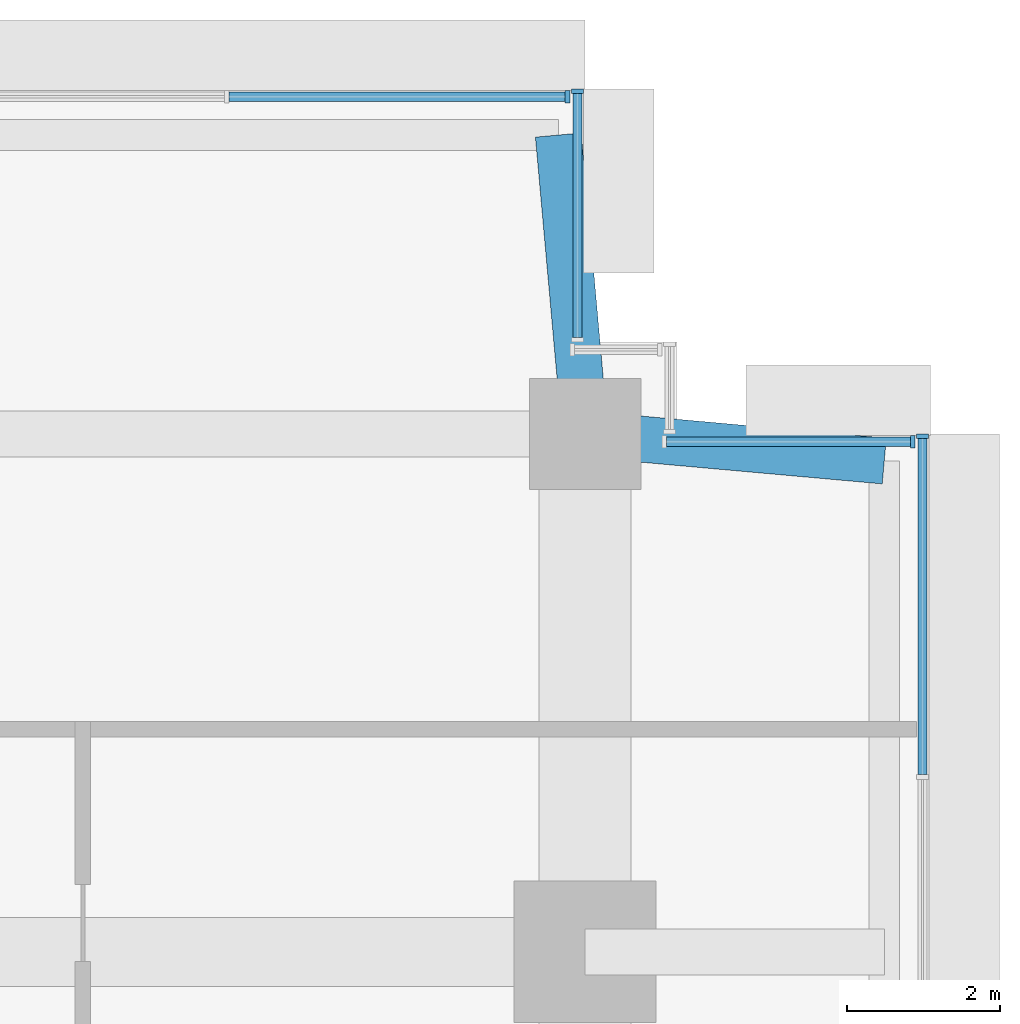
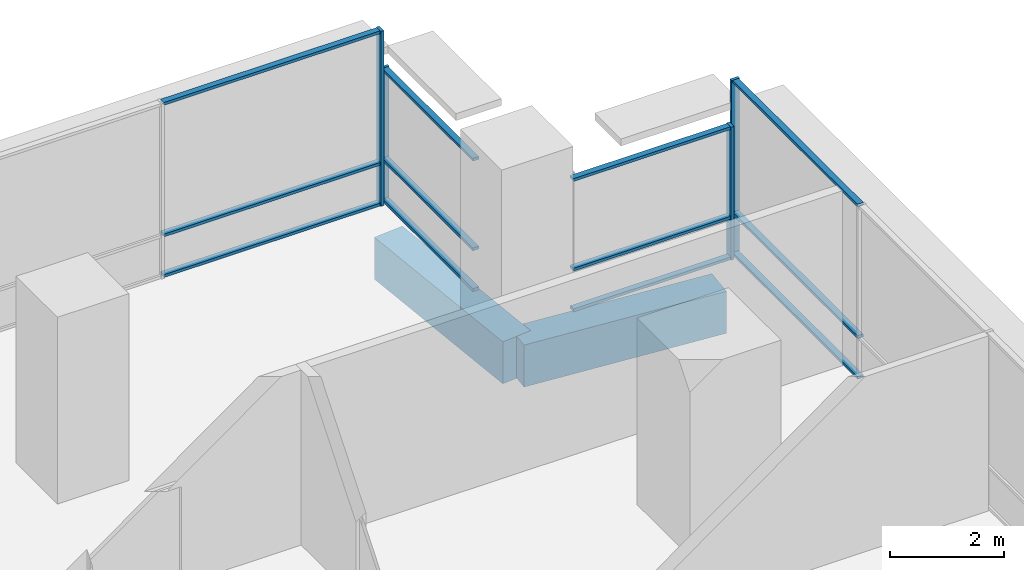
# One storey, part 9 of 14: 16 members, 2 beams, 4 elements without a shape of their own.
"""IFC4 building model written with IfcOpenShell, lengths in metres."""

from ifc_helpers import new_model, si_unit, direction, frame, origin, origin_2d, place, context, subcontext, project, spatial, rectangle, extrude, material, layer, layer_set, material_profile, profile_set, type_object, element, aggregate, save


model = new_model("IFC4")

# Units and contexts
model_context = context("Model", 3, precision=1e-05, world=origin(), true_north=direction((0.0, 1.0)))
body_context = subcontext(model_context, "Body", "Model", "MODEL_VIEW")
ifc_project = project(units=[si_unit("LENGTHUNIT", "METRE"), si_unit("AREAUNIT", "SQUARE_METRE"), si_unit("VOLUMEUNIT", "CUBIC_METRE"), si_unit("PLANEANGLEUNIT", "RADIAN"), si_unit("MASSUNIT", "GRAM", prefix="KILO")], contexts=[model_context])

# Site, building, storey
site_placement = place(None, origin())
site = spatial("IfcSite", under=ifc_project, at=site_placement, CompositionType="ELEMENT")
building_placement = place(site_placement, origin())
building = spatial("IfcBuilding", under=site, at=building_placement, Name="Namib Vertical Campus", CompositionType="ELEMENT")
storey_placement = place(building_placement, frame((0.0, 0.0, 269.0)))
storey = spatial("IfcBuildingStorey", under=building, at=storey_placement, Name="L63", CompositionType="ELEMENT", Elevation=269.0)

# Beams
ifc_material_1 = material(Name="Concrete C40/50", Category="concrete")
ifc_material_profile_1 = material_profile(ifc_material_1, rectangle(XDim=0.60009765625, YDim=0.89990234375, at=origin_2d()))
ifc_profile_set_1 = profile_set([ifc_material_profile_1], Name="Concrete C40/50")
beam_type = type_object("IfcBeamType", Name="Cantilever girder RC 600x900", PredefinedType="BEAM", material=ifc_profile_set_1)
for number, where, z_axis, x_axis, name in (
    (1, (36.0, 36.0, -0.699951171875), (-0.089411326146, 0.995994786511, 0.0), (-0.995994786511, -0.089411326146, 0.0), "Beam B3 L63"),
    (2, (36.0, 36.0, -0.699951171875), (0.995994786511, -0.089411326146, 0.0), (0.089411326146, 0.995994786511, 0.0), "Beam B3 L63"),
):
    element("IfcBeam", number, at=place(storey_placement, frame(where, z_axis=z_axis, x_axis=x_axis)), inside=storey, type_object=beam_type, Name=name, PredefinedType="BEAM", context=body_context, shape_type="SweptSolid", body=[
        extrude(rectangle(XDim=0.60009765625, YDim=0.89990234375, at=origin_2d()), origin(), (0.0, 0.0, 1.0), 3.91552734375),
    ])

# Curtain wall, member
ifc_material_2 = material(Name="Black aluminium curtain wall", Category="aluminium")
ifc_layer = layer(ifc_material_2, 0.199951171875)
ifc_layer_set = layer_set([ifc_layer], Name="Lounge bench curtain wall CW-LB")
curtain_wall_type = type_object("IfcCurtainWallType", Name="Lounge bench curtain wall CW-LB", PredefinedType="USERDEFINED", material=ifc_layer_set)
curtain_wall_1_placement = place(storey_placement, origin())
curtain_wall_1 = element("IfcCurtainWall", 3, at=curtain_wall_1_placement, inside=storey, type_object=curtain_wall_type, Name="Curtain wall CW-LB L63 F06-1", ObjectType="CURTAIN WALL", PredefinedType="USERDEFINED")
ifc_material_3 = material(Name="Black anodised aluminium", Category="aluminium")
ifc_material_profile_2 = material_profile(ifc_material_3, rectangle(XDim=0.06005859375, YDim=0.159912109375, at=origin_2d()))
ifc_profile_set_2 = profile_set([ifc_material_profile_2], Name="Black anodised aluminium")
member_type_1 = type_object("IfcMemberType", Name="Curtain wall mullion 60x160", PredefinedType="MULLION", material=ifc_profile_set_2)
member_1_placement = place(storey_placement, frame((40.39990234375, 35.969970703125, 0.0), z_axis=(0.0, 0.0, 1.0), x_axis=(0.0, 1.0, 0.0)))
member_1 = element("IfcMember", 4, at=member_1_placement, type_object=member_type_1, Name="CW-LB mullion 8", PredefinedType="MULLION", context=body_context, shape_type="SweptSolid", body=[
    extrude(rectangle(XDim=0.06005859375, YDim=0.159912109375, at=origin_2d()), origin(), (0.0, 0.0, 1.0), 3.75),
])

curtain_wall_2_placement = place(storey_placement, origin())
curtain_wall_2 = element("IfcCurtainWall", 5, at=curtain_wall_2_placement, inside=storey, type_object=curtain_wall_type, Name="Curtain wall CW-LB L63 F07-1", ObjectType="CURTAIN WALL", PredefinedType="USERDEFINED")
member_2_placement = place(storey_placement, frame((40.27001953125, 35.89990234375, 0.0), z_axis=(0.0, 0.0, 1.0), x_axis=(-1.0, 0.0, 0.0)))
member_2 = element("IfcMember", 6, at=member_2_placement, type_object=member_type_1, Name="CW-LB mullion 1", PredefinedType="MULLION", context=body_context, shape_type="SweptSolid", body=[
    extrude(rectangle(XDim=0.06005859375, YDim=0.159912109375, at=origin_2d()), origin(), (0.0, 0.0, 1.0), 2.85009765625),
])

curtain_wall_3_placement = place(storey_placement, origin())
curtain_wall_3 = element("IfcCurtainWall", 7, at=curtain_wall_3_placement, inside=storey, type_object=curtain_wall_type, Name="Curtain wall CW-LB L63 F10-1", ObjectType="CURTAIN WALL", PredefinedType="USERDEFINED")
member_3_placement = place(storey_placement, frame((35.89990234375, 40.469970703125, 0.0), z_axis=(0.0, 0.0, 1.0), x_axis=(0.0, 1.0, 0.0)))
member_3 = element("IfcMember", 8, at=member_3_placement, type_object=member_type_1, Name="CW-LB mullion 2", PredefinedType="MULLION", context=body_context, shape_type="SweptSolid", body=[
    extrude(rectangle(XDim=0.06005859375, YDim=0.159912109375, at=origin_2d()), origin(), (0.0, 0.0, 1.0), 2.85009765625),
])

curtain_wall_4_placement = place(storey_placement, origin())
curtain_wall_4 = element("IfcCurtainWall", 9, at=curtain_wall_4_placement, inside=storey, type_object=curtain_wall_type, Name="Curtain wall CW-LB L63 F11-1", ObjectType="CURTAIN WALL", PredefinedType="USERDEFINED")
member_4_placement = place(storey_placement, frame((35.77001953125, 40.39990234375, 0.0), z_axis=(0.0, 0.0, 1.0), x_axis=(-1.0, 0.0, 0.0)))
member_4 = element("IfcMember", 10, at=member_4_placement, type_object=member_type_1, Name="CW-LB mullion 1", PredefinedType="MULLION", context=body_context, shape_type="SweptSolid", body=[
    extrude(rectangle(XDim=0.06005859375, YDim=0.159912109375, at=origin_2d()), origin(), (0.0, 0.0, 1.0), 3.75),
])

# Member
ifc_material_4 = material(Name="Black anodised aluminium", Category="aluminium")
ifc_material_profile_3 = material_profile(ifc_material_4, rectangle(XDim=0.06005859375, YDim=0.1201171875, at=origin_2d()))
ifc_profile_set_3 = profile_set([ifc_material_profile_3], Name="Black anodised aluminium")
member_type_2 = type_object("IfcMemberType", Name="Curtain wall transom 60x120", PredefinedType="USERDEFINED", material=ifc_profile_set_3)
member_5_placement = place(storey_placement, frame((40.39990234375, 31.55859375, 0.030029296875), z_axis=(0.0, 1.0, 0.0), x_axis=(0.0, 0.0, 1.0)))
member_5 = element("IfcMember", 11, at=member_5_placement, type_object=member_type_2, Name="CW-LB transom 7.1", ObjectType="TRANSOM", PredefinedType="USERDEFINED", context=body_context, shape_type="SweptSolid", body=[
    extrude(rectangle(XDim=0.06005859375, YDim=0.1201171875, at=origin_2d()), origin(), (0.0, 0.0, 1.0), 4.38134765625),
])

member_6_placement = place(storey_placement, frame((40.39990234375, 31.55859375, 0.89990234375), z_axis=(0.0, 1.0, 0.0), x_axis=(0.0, 0.0, 1.0)))
member_6 = element("IfcMember", 12, at=member_6_placement, type_object=member_type_2, Name="CW-LB transom 7.2", ObjectType="TRANSOM", PredefinedType="USERDEFINED", context=body_context, shape_type="SweptSolid", body=[
    extrude(rectangle(XDim=0.06005859375, YDim=0.1201171875, at=origin_2d()), origin(), (0.0, 0.0, 1.0), 4.38134765625),
])

member_7_placement = place(storey_placement, frame((40.39990234375, 31.55859375, 3.719970703125), z_axis=(0.0, 1.0, 0.0), x_axis=(0.0, 0.0, 1.0)))
member_7 = element("IfcMember", 13, at=member_7_placement, type_object=member_type_2, Name="CW-LB transom 7.3", ObjectType="TRANSOM", PredefinedType="USERDEFINED", context=body_context, shape_type="SweptSolid", body=[
    extrude(rectangle(XDim=0.06005859375, YDim=0.1201171875, at=origin_2d()), origin(), (0.0, 0.0, 1.0), 4.38134765625),
])

aggregate(curtain_wall_1, [member_1, member_5, member_6, member_7])

member_8_placement = place(storey_placement, frame((40.239990234375, 35.89990234375, 0.030029296875), z_axis=(-1.0, 0.0, 0.0), x_axis=(0.0, 0.0, 1.0)))
member_8 = element("IfcMember", 14, at=member_8_placement, type_object=member_type_2, Name="CW-LB transom 1.1", ObjectType="TRANSOM", PredefinedType="USERDEFINED", context=body_context, shape_type="SweptSolid", body=[
    extrude(rectangle(XDim=0.06005859375, YDim=0.1201171875, at=origin_2d()), origin(), (0.0, 0.0, 1.0), 3.179931640625),
])

member_9_placement = place(storey_placement, frame((40.239990234375, 35.89990234375, 0.89990234375), z_axis=(-1.0, 0.0, 0.0), x_axis=(0.0, 0.0, 1.0)))
member_9 = element("IfcMember", 15, at=member_9_placement, type_object=member_type_2, Name="CW-LB transom 1.2", ObjectType="TRANSOM", PredefinedType="USERDEFINED", context=body_context, shape_type="SweptSolid", body=[
    extrude(rectangle(XDim=0.06005859375, YDim=0.1201171875, at=origin_2d()), origin(), (0.0, 0.0, 1.0), 3.179931640625),
])

member_10_placement = place(storey_placement, frame((40.239990234375, 35.89990234375, 2.820068359375), z_axis=(-1.0, 0.0, 0.0), x_axis=(0.0, 0.0, 1.0)))
member_10 = element("IfcMember", 16, at=member_10_placement, type_object=member_type_2, Name="CW-LB transom 1.3", ObjectType="TRANSOM", PredefinedType="USERDEFINED", context=body_context, shape_type="SweptSolid", body=[
    extrude(rectangle(XDim=0.06005859375, YDim=0.1201171875, at=origin_2d()), origin(), (0.0, 0.0, 1.0), 3.179931640625),
])

aggregate(curtain_wall_2, [member_2, member_8, member_9, member_10])

member_11_placement = place(storey_placement, frame((35.89990234375, 37.260009765625, 0.030029296875), z_axis=(0.0, 1.0, 0.0), x_axis=(0.0, 0.0, 1.0)))
member_11 = element("IfcMember", 17, at=member_11_placement, type_object=member_type_2, Name="CW-LB transom 1.1", ObjectType="TRANSOM", PredefinedType="USERDEFINED", context=body_context, shape_type="SweptSolid", body=[
    extrude(rectangle(XDim=0.06005859375, YDim=0.1201171875, at=origin_2d()), origin(), (0.0, 0.0, 1.0), 3.179931640625),
])

member_12_placement = place(storey_placement, frame((35.89990234375, 37.260009765625, 0.89990234375), z_axis=(0.0, 1.0, 0.0), x_axis=(0.0, 0.0, 1.0)))
member_12 = element("IfcMember", 18, at=member_12_placement, type_object=member_type_2, Name="CW-LB transom 1.2", ObjectType="TRANSOM", PredefinedType="USERDEFINED", context=body_context, shape_type="SweptSolid", body=[
    extrude(rectangle(XDim=0.06005859375, YDim=0.1201171875, at=origin_2d()), origin(), (0.0, 0.0, 1.0), 3.179931640625),
])

member_13_placement = place(storey_placement, frame((35.89990234375, 37.260009765625, 2.820068359375), z_axis=(0.0, 1.0, 0.0), x_axis=(0.0, 0.0, 1.0)))
member_13 = element("IfcMember", 19, at=member_13_placement, type_object=member_type_2, Name="CW-LB transom 1.3", ObjectType="TRANSOM", PredefinedType="USERDEFINED", context=body_context, shape_type="SweptSolid", body=[
    extrude(rectangle(XDim=0.06005859375, YDim=0.1201171875, at=origin_2d()), origin(), (0.0, 0.0, 1.0), 3.179931640625),
])

aggregate(curtain_wall_3, [member_3, member_11, member_12, member_13])

member_14_placement = place(storey_placement, frame((35.739990234375, 40.39990234375, 0.030029296875), z_axis=(-1.0, 0.0, 0.0), x_axis=(0.0, 0.0, 1.0)))
member_14 = element("IfcMember", 20, at=member_14_placement, type_object=member_type_2, Name="CW-LB transom 1.1", ObjectType="TRANSOM", PredefinedType="USERDEFINED", context=body_context, shape_type="SweptSolid", body=[
    extrude(rectangle(XDim=0.06005859375, YDim=0.1201171875, at=origin_2d()), origin(), (0.0, 0.0, 1.0), 4.38134765625),
])

member_15_placement = place(storey_placement, frame((35.739990234375, 40.39990234375, 0.89990234375), z_axis=(-1.0, 0.0, 0.0), x_axis=(0.0, 0.0, 1.0)))
member_15 = element("IfcMember", 21, at=member_15_placement, type_object=member_type_2, Name="CW-LB transom 1.2", ObjectType="TRANSOM", PredefinedType="USERDEFINED", context=body_context, shape_type="SweptSolid", body=[
    extrude(rectangle(XDim=0.06005859375, YDim=0.1201171875, at=origin_2d()), origin(), (0.0, 0.0, 1.0), 4.38134765625),
])

member_16_placement = place(storey_placement, frame((35.739990234375, 40.39990234375, 3.719970703125), z_axis=(-1.0, 0.0, 0.0), x_axis=(0.0, 0.0, 1.0)))
member_16 = element("IfcMember", 22, at=member_16_placement, type_object=member_type_2, Name="CW-LB transom 1.3", ObjectType="TRANSOM", PredefinedType="USERDEFINED", context=body_context, shape_type="SweptSolid", body=[
    extrude(rectangle(XDim=0.06005859375, YDim=0.1201171875, at=origin_2d()), origin(), (0.0, 0.0, 1.0), 4.38134765625),
])

aggregate(curtain_wall_4, [member_4, member_14, member_15, member_16])

save(model, "model.ifc")
